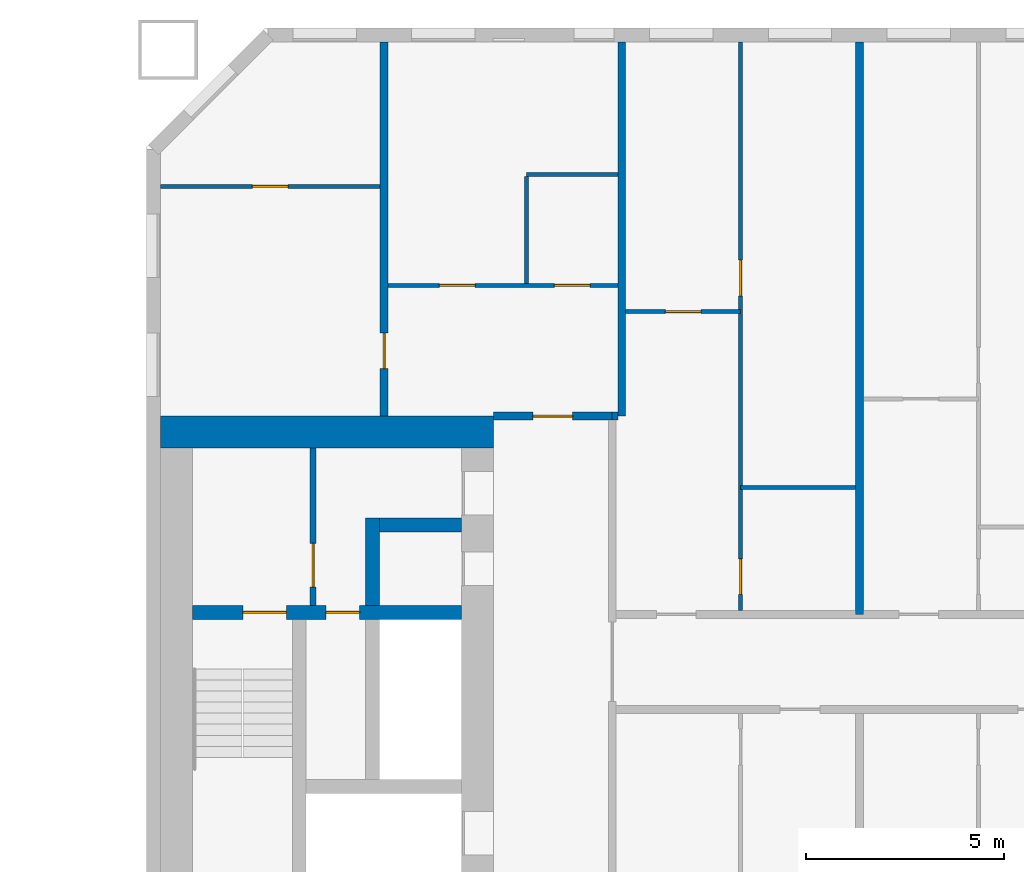
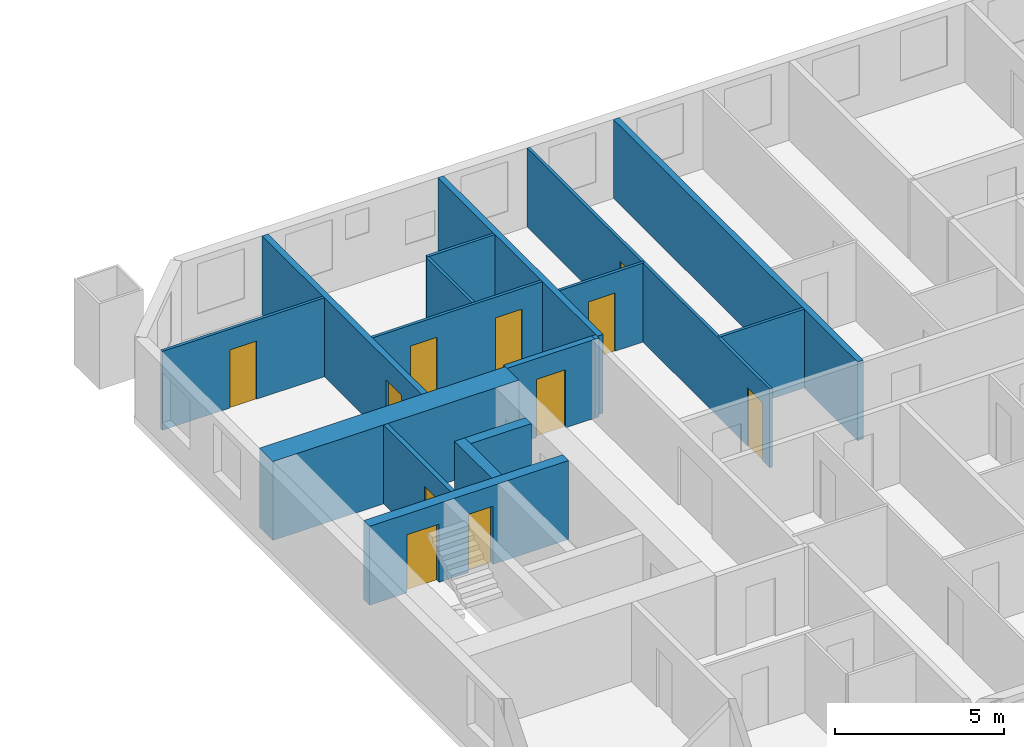
# One storey, part 10 of 17: 17 walls, 11 doors, 11 openings.
"""IFC4 building model written with IfcOpenShell, lengths in metres."""

import ifcopenshell
import ifcopenshell.guid

model = None  # the IFC model being written
_history = None  # IfcOwnerHistory: only IFC2X3 demands one
_inside = {}  # id of a spatial element -> (the spatial element, [elements in it])
_under = {}  # id of a project, library or spatial element -> (it, [spatial elements below it])
_declared = {}  # id of a project -> (the project, [libraries it declares])
_typed = {}  # id of a type object -> (the type object, [elements of that type])
_made_of = {}  # id of a material, layer set ... -> (it, [elements and type objects made of it])


def new_model(schema):
    """Start an empty IFC model of exactly this schema.

    Asked for "IFC4X3", IfcOpenShell would pick the latest addendum, in which some entities
    have other attributes; the version numbers below select the first issue.
    IFC2X3 requires an IfcOwnerHistory on every rooted entity: one is made here for all.
    """
    global model, _history
    if schema == "IFC4X3":
        model = ifcopenshell.file(schema_version=(4, 3, 0, 0))
    else:
        model = ifcopenshell.file(schema=schema)
    _inside.clear()
    _under.clear()
    _declared.clear()
    _typed.clear()
    _made_of.clear()
    _history = None
    if model.schema == "IFC2X3":
        org = make("IfcOrganization", Name="unknown")
        user = make(
            "IfcPersonAndOrganization",
            ThePerson=make("IfcPerson", FamilyName="unknown"),
            TheOrganization=org,
        )
        app = make(
            "IfcApplication",
            ApplicationDeveloper=org,
            Version="unknown",
            ApplicationFullName="unknown",
            ApplicationIdentifier="unknown",
        )
        _history = make(
            "IfcOwnerHistory",
            OwningUser=user,
            OwningApplication=app,
            ChangeAction="ADDED",
            CreationDate=0,
        )
    return model


def make(cls, **values):
    """One entity of the class cls with the attributes given. An attribute that is None is left unset."""
    return model.create_entity(
        cls, **{name: value for name, value in values.items() if value is not None}
    )


def rooted(cls, **values):
    """An entity with a GlobalId (a new one), such as an element, a storey or a relation."""
    return make(cls, GlobalId=ifcopenshell.guid.new(), OwnerHistory=_history, **values)


def si_unit(unit_type, name, prefix=None):
    """IfcSIUnit, for example si_unit("LENGTHUNIT", "METRE", prefix="MILLI")."""
    return make("IfcSIUnit", UnitType=unit_type, Prefix=prefix, Name=name)


def assignment(units):
    """IfcUnitAssignment: the units of a project."""
    return None if units is None else make("IfcUnitAssignment", Units=units)


def point(xyz):
    """IfcCartesianPoint."""
    return None if xyz is None else make("IfcCartesianPoint", Coordinates=xyz)


def direction(xyz):
    """IfcDirection."""
    return None if xyz is None else make("IfcDirection", DirectionRatios=xyz)


def frame(location, z_axis=None, x_axis=None):
    """IfcAxis2Placement3D, a coordinate frame: its origin and axes. An axis left out is left unset."""
    return make(
        "IfcAxis2Placement3D",
        Location=point(location),
        Axis=direction(z_axis),
        RefDirection=direction(x_axis),
    )


def frame_2d(location, x_axis=None):
    """IfcAxis2Placement2D, a coordinate frame in the plane: its origin and x axis."""
    return make(
        "IfcAxis2Placement2D", Location=point(location), RefDirection=direction(x_axis)
    )


def origin():
    """The frame at (0, 0, 0) with its axes left unset."""
    return frame((0.0, 0.0, 0.0))


def place(relative_to, where):
    """IfcLocalPlacement: puts the frame where relative to a parent placement (None: the world)."""
    return make(
        "IfcLocalPlacement", PlacementRelTo=relative_to, RelativePlacement=where
    )


def context(
    kind, dimensions, precision=None, world=None, true_north=None, identifier=None
):
    """IfcGeometricRepresentationContext, for example the 3D "Model" context."""
    return make(
        "IfcGeometricRepresentationContext",
        ContextIdentifier=identifier,
        ContextType=kind,
        CoordinateSpaceDimension=dimensions,
        Precision=precision,
        WorldCoordinateSystem=world,
        TrueNorth=true_north,
    )


def subcontext(parent, identifier, kind, view, scale=None):
    """IfcGeometricRepresentationSubContext, for example "Body" below "Model"."""
    return make(
        "IfcGeometricRepresentationSubContext",
        ContextIdentifier=identifier,
        ContextType=kind,
        ParentContext=parent,
        TargetScale=scale,
        TargetView=view,
    )


def project(units=None, contexts=None):
    """IfcProject with its units and contexts."""
    return rooted(
        "IfcProject",
        Name="project",
        RepresentationContexts=contexts,
        UnitsInContext=assignment(units),
    )


def spatial(cls, under=None, at=None, **own):
    """A site, building, storey or space (cls), placed at a placement, below another one or the project."""
    s = rooted(cls, ObjectPlacement=at, **own)
    if under is not None:
        _under.setdefault(under.id(), (under, []))[1].append(s)
    return s


def profile(cls, at=None, kind="AREA", **sizes):
    """A parametric profile (cls). Its sizes go by their IFC names, for example OverallWidth=200.0."""
    return make(cls, ProfileType=kind, Position=at, **sizes)


def rectangle(**sizes):
    """IfcRectangleProfileDef."""
    return profile("IfcRectangleProfileDef", **sizes)


def extrude(swept, where, along, depth):
    """IfcExtrudedAreaSolid: the profile swept, set in the frame where, extruded along a direction by depth."""
    return make(
        "IfcExtrudedAreaSolid",
        SweptArea=swept,
        Position=where,
        ExtrudedDirection=direction(along),
        Depth=depth,
    )


def shape(context_of_items, identifier, shape_type, items):
    """IfcShapeRepresentation: the items that make up one representation, for example the "Body"."""
    return make(
        "IfcShapeRepresentation",
        ContextOfItems=context_of_items,
        RepresentationIdentifier=identifier,
        RepresentationType=shape_type,
        Items=items,
    )


def material(Name=None, Category=None):
    """IfcMaterial."""
    return make("IfcMaterial", Name=Name, Category=Category)


def layer(
    of_material, thickness, ventilated=None, Name=None, Category=None, Priority=None
):
    """IfcMaterialLayer: one layer of a wall or slab, of a material (None: an air gap)."""
    return make(
        "IfcMaterialLayer",
        Material=of_material,
        LayerThickness=thickness,
        IsVentilated=ventilated,
        Name=Name,
        Category=Category,
        Priority=Priority,
    )


def layer_set(layers, Name=None):
    """IfcMaterialLayerSet."""
    return make("IfcMaterialLayerSet", MaterialLayers=layers, LayerSetName=Name)


def made_of(thing, what):
    """Note that an element or type object is made of a material, layer set ...; save() writes the relation."""
    if what is not None:
        _made_of.setdefault(what.id(), (what, []))[1].append(thing)
    return thing


def type_object(cls, material=None, **own):
    """A type object (cls), such as IfcWallType, which elements share."""
    return made_of(rooted(cls, **own), material)


def element(
    cls,
    number,
    at=None,
    inside=None,
    cuts=None,
    type_object=None,
    material=None,
    context=None,
    identifier="Body",
    shape_type=None,
    held_by="IfcProductDefinitionShape",
    body=None,
    shapes=None,
    **own,
):
    """One element of the class cls, such as IfcWall. Its Tag is "e" and its number.

    at: its placement. inside: the storey or other place that contains it. cuts: it is an
    opening in that element (IfcRelVoidsElement). A single representation is given by context,
    identifier, shape_type and body (its items); several are given by shapes. held_by: the class
    of the entity that holds the representations. save() writes the other relations.
    """
    e = rooted(cls, Tag="e%d" % number, ObjectPlacement=at, **own)
    if body is not None:
        shapes = [shape(context, identifier, shape_type, body)]
    if shapes is not None:
        e.Representation = make(held_by, Representations=shapes)
    if inside is not None:
        _inside.setdefault(inside.id(), (inside, []))[1].append(e)
    if cuts is not None:
        rooted(
            "IfcRelVoidsElement", RelatingBuildingElement=cuts, RelatedOpeningElement=e
        )
    if type_object is not None:
        _typed.setdefault(type_object.id(), (type_object, []))[1].append(e)
    return made_of(e, material)


def fill(opening, filler):
    """IfcRelFillsElement: the door or window that sits in an opening."""
    return rooted(
        "IfcRelFillsElement",
        RelatingOpeningElement=opening,
        RelatedBuildingElement=filler,
    )


def aggregate(whole, parts):
    """IfcRelAggregates: a whole, such as a stair, and the parts it consists of."""
    return rooted("IfcRelAggregates", RelatingObject=whole, RelatedObjects=parts)


def save(model, path):
    """Write the relations noted so far, then the file.

    IfcRelAggregates (storeys below a building ...), IfcRelContainedInSpatialStructure (elements
    in a storey), IfcRelDefinesByType, IfcRelAssociatesMaterial and IfcRelDeclares: one each for
    every whole, place, type object, material and project.
    """
    for whole, parts in _under.values():
        aggregate(whole, parts)
    for where, things in _inside.values():
        rooted(
            "IfcRelContainedInSpatialStructure",
            RelatedElements=things,
            RelatingStructure=where,
        )
    for kind, things in _typed.values():
        rooted("IfcRelDefinesByType", RelatedObjects=things, RelatingType=kind)
    for what, things in _made_of.values():
        rooted("IfcRelAssociatesMaterial", RelatedObjects=things, RelatingMaterial=what)
    for by, libraries in _declared.values():
        rooted("IfcRelDeclares", RelatingContext=by, RelatedDefinitions=libraries)
    model.write(path)


model = new_model("IFC4")

# Units and contexts
model_context = context("Model", 3, precision=1e-05, world=origin(), true_north=direction((0.0, 1.0)))
body_context = subcontext(model_context, "Body", "Model", "MODEL_VIEW")
ifc_project = project(units=[si_unit("LENGTHUNIT", "METRE"), si_unit("AREAUNIT", "SQUARE_METRE"), si_unit("VOLUMEUNIT", "CUBIC_METRE"), si_unit("PLANEANGLEUNIT", "RADIAN"), si_unit("MASSUNIT", "GRAM", prefix="KILO")], contexts=[model_context])

# Site, building, storey
site_placement = place(None, origin())
site = spatial("IfcSite", under=ifc_project, at=site_placement, CompositionType="ELEMENT")
building_placement = place(site_placement, origin())
building = spatial("IfcBuilding", under=site, at=building_placement, Name="Tuart Gate Housing", CompositionType="ELEMENT")
storey_placement = place(building_placement, frame((0.0, 0.0, 50.5)))
storey = spatial("IfcBuildingStorey", under=building, at=storey_placement, Name="L13", CompositionType="ELEMENT", Elevation=50.5)

# Wall, opening, door
ifc_material_1 = material(Name="Plasterboard partition")
ifc_layer_1 = layer(ifc_material_1, 0.14990234375)
ifc_layer_set_1 = layer_set([ifc_layer_1], Name="Core partition 150")
wall_type_1 = type_object("IfcWallType", Name="Core partition 150", PredefinedType="PARTITIONING", material=ifc_layer_set_1)
wall_1_placement = place(storey_placement, frame((135.2099609375, 71.425048828125, 0.0), z_axis=(0.0, 0.0, 1.0), x_axis=(0.0, 1.0, 0.0)))
wall_1 = element("IfcWall", 1, at=wall_1_placement, inside=storey, type_object=wall_type_1, Name="Core partition BG.6", PredefinedType="PARTITIONING", context=body_context, shape_type="SweptSolid", body=[
    extrude(rectangle(XDim=3.974853515625, YDim=0.14990234375, at=frame_2d((1.9873046875, 0.0))), origin(), (0.0, 0.0, 1.0), 2.85009765625),
])
opening_1_placement = place(wall_1_placement, frame((0.46240234375, 0.0, 0.0)))
opening_1 = element("IfcOpeningElement", 2, at=opening_1_placement, cuts=wall_1, Name="Opening D676", PredefinedType="OPENING", context=body_context, shape_type="SweptSolid", body=[
    extrude(rectangle(XDim=1.10009765625, YDim=2.10009765625, at=frame_2d((0.550048828125, 1.050048828125))), frame((0.0, 0.0849609375, 0.0), z_axis=(0.0, -1.0, 0.0), x_axis=(1.0, 0.0, 0.0)), (0.0, 0.0, 1.0), 0.169921875),
])
ifc_material_2 = material(Name="Steel fire door", Category="steel")
door_type_1 = type_object("IfcDoorType", Name="Lobby door 1100 x 2100", OperationType="SINGLE_SWING_LEFT", PredefinedType="DOOR", material=ifc_material_2)
door_1_placement = place(opening_1_placement, origin())
door_1 = element("IfcDoor", 3, at=door_1_placement, inside=storey, type_object=door_type_1, Name="Smoke lobby door BG.KD", OperationType="SINGLE_SWING_LEFT", OverallHeight=2.10009765625, OverallWidth=1.10009765625, PredefinedType="DOOR", context=body_context, shape_type="SweptSolid", body=[
    extrude(rectangle(XDim=1.10009765625, YDim=2.10009765625, at=frame_2d((0.550048828125, 1.050048828125))), frame((0.0, 0.02490234375, 0.0), z_axis=(0.0, -1.0, 0.0), x_axis=(1.0, 0.0, 0.0)), (0.0, 0.0, 1.0), 0.050048828125),
])
fill(opening_1, door_1)

# Wall, openings, doors
ifc_material_3 = material(Name="Concrete C60", Category="concrete")
ifc_layer_2 = layer(ifc_material_3, 0.35009765625)
ifc_layer_set_2 = layer_set([ifc_layer_2], Name="Core wall 350 C60")
wall_type_2 = type_object("IfcWallType", Name="Core wall 350 C60", PredefinedType="SHEAR", material=ifc_layer_set_2)
wall_2_placement = place(storey_placement, frame((138.9599609375, 71.25, 0.0), z_axis=(0.0, 0.0, 1.0), x_axis=(-1.0, 0.0, 0.0)))
wall_2 = element("IfcWall", 4, at=wall_2_placement, inside=storey, type_object=wall_type_2, Name="Core wall BG.2", PredefinedType="SHEAR", context=body_context, shape_type="SweptSolid", body=[
    extrude(rectangle(XDim=6.800048828125, YDim=0.35009765625, at=frame_2d((3.39990234375, 0.0))), origin(), (0.0, 0.0, 1.0), 2.85009765625),
])
opening_2_placement = place(wall_2_placement, frame((4.425048828125, 0.0, 0.0)))
opening_2 = element("IfcOpeningElement", 5, at=opening_2_placement, cuts=wall_2, Name="Opening D678", PredefinedType="OPENING", context=body_context, shape_type="SweptSolid", body=[
    extrude(rectangle(XDim=1.10009765625, YDim=2.10009765625, at=frame_2d((0.550048828125, 1.050048828125))), frame((0.0, 0.18505859375, 0.0), z_axis=(0.0, -1.0, 0.0), x_axis=(1.0, 0.0, 0.0)), (0.0, 0.0, 1.0), 0.3701171875),
])
opening_3_placement = place(wall_2_placement, frame((2.574951171875, 0.0, 0.0)))
opening_3 = element("IfcOpeningElement", 6, at=opening_3_placement, cuts=wall_2, Name="Opening D677", PredefinedType="OPENING", context=body_context, shape_type="SweptSolid", body=[
    extrude(rectangle(XDim=0.85009765625, YDim=2.10009765625, at=frame_2d((0.425048828125, 1.050048828125))), frame((0.0, 0.18505859375, 0.0), z_axis=(0.0, -1.0, 0.0), x_axis=(1.0, 0.0, 0.0)), (0.0, 0.0, 1.0), 0.3701171875),
])
ifc_material_4 = material(Name="Steel fire door", Category="steel")
door_type_2 = type_object("IfcDoorType", Name="Riser door 850 x 2100", OperationType="SINGLE_SWING_LEFT", PredefinedType="DOOR", material=ifc_material_4)
door_2_placement = place(opening_3_placement, origin())
door_2 = element("IfcDoor", 7, at=door_2_placement, inside=storey, type_object=door_type_2, Name="Service room door BG.W1", OperationType="SINGLE_SWING_LEFT", OverallHeight=2.10009765625, OverallWidth=0.85009765625, PredefinedType="DOOR", context=body_context, shape_type="SweptSolid", body=[
    extrude(rectangle(XDim=0.85009765625, YDim=2.10009765625, at=frame_2d((0.425048828125, 1.050048828125))), frame((0.0, 0.02490234375, 0.0), z_axis=(0.0, -1.0, 0.0), x_axis=(1.0, 0.0, 0.0)), (0.0, 0.0, 1.0), 0.050048828125),
])
fill(opening_3, door_2)
ifc_material_5 = material(Name="Steel fire door", Category="steel")
door_type_3 = type_object("IfcDoorType", Name="Stair door 1100 x 2100", OperationType="SINGLE_SWING_LEFT", PredefinedType="DOOR", material=ifc_material_5)
door_3_placement = place(opening_2_placement, origin())
door_3 = element("IfcDoor", 8, at=door_3_placement, inside=storey, type_object=door_type_3, Name="Stair door BG.SD", OperationType="SINGLE_SWING_LEFT", OverallHeight=2.10009765625, OverallWidth=1.10009765625, PredefinedType="DOOR", context=body_context, shape_type="SweptSolid", body=[
    extrude(rectangle(XDim=1.10009765625, YDim=2.10009765625, at=frame_2d((0.550048828125, 1.050048828125))), frame((0.0, 0.02490234375, 0.0), z_axis=(0.0, -1.0, 0.0), x_axis=(1.0, 0.0, 0.0)), (0.0, 0.0, 1.0), 0.050048828125),
])
fill(opening_2, door_3)

# Walls
wall_3_placement = place(storey_placement, frame((138.9599609375, 73.449951171875, 0.0), z_axis=(0.0, 0.0, 1.0), x_axis=(-1.0, 0.0, 0.0)))
element("IfcWall", 9, at=wall_3_placement, inside=storey, type_object=wall_type_2, Name="Core wall BG.3", PredefinedType="SHEAR", context=body_context, shape_type="SweptSolid", body=[
    extrude(rectangle(XDim=2.074951171875, YDim=0.35009765625, at=frame_2d((1.03759765625, 0.0))), origin(), (0.0, 0.0, 1.0), 2.85009765625),
])
wall_4_placement = place(storey_placement, frame((136.7099609375, 71.425048828125, 0.0), z_axis=(0.0, 0.0, 1.0), x_axis=(0.0, 1.0, 0.0)))
element("IfcWall", 10, at=wall_4_placement, inside=storey, type_object=wall_type_2, Name="Core wall BG.5", PredefinedType="SHEAR", context=body_context, shape_type="SweptSolid", body=[
    extrude(rectangle(XDim=2.199951171875, YDim=0.35009765625, at=frame_2d((1.10009765625, 0.0))), origin(), (0.0, 0.0, 1.0), 2.85009765625),
])
ifc_material_6 = material(Name="Concrete C60", Category="concrete")
ifc_layer_3 = layer(ifc_material_6, 0.800048828125)
ifc_layer_set_3 = layer_set([ifc_layer_3], Name="Core wall 800 C60")
wall_type_3 = type_object("IfcWallType", Name="Core wall 800 C60", PredefinedType="SHEAR", material=ifc_layer_set_3)
wall_5_placement = place(storey_placement, frame((139.760009765625, 75.800048828125, 0.0), z_axis=(0.0, 0.0, 1.0), x_axis=(-1.0, 0.0, 0.0)))
element("IfcWall", 11, at=wall_5_placement, inside=storey, type_object=wall_type_3, Name="Core wall BG north", PredefinedType="SHEAR", context=body_context, shape_type="SweptSolid", body=[
    extrude(rectangle(XDim=8.39990234375, YDim=0.800048828125, at=frame_2d((4.199951171875, 0.0))), origin(), (0.0, 0.0, 1.0), 2.85009765625),
])

# Wall, opening, door
ifc_material_7 = material(Name="Concrete masonry 15 MPa", Category="masonry")
ifc_layer_4 = layer(ifc_material_7, 0.199951171875)
ifc_layer_set_4 = layer_set([ifc_layer_4], Name="Enclosure wall masonry 200")
wall_type_4 = type_object("IfcWallType", Name="Enclosure wall masonry 200", PredefinedType="PARTITIONING", material=ifc_layer_set_4)
wall_6_placement = place(storey_placement, frame((139.760009765625, 76.199951171875, 0.0), z_axis=(0.0, 0.0, 1.0), x_axis=(1.0, 0.0, 0.0)))
wall_6 = element("IfcWall", 12, at=wall_6_placement, inside=storey, type_object=wall_type_4, Name="Enclosure wall masonry 200", PredefinedType="PARTITIONING", context=body_context, shape_type="SweptSolid", body=[
    extrude(rectangle(XDim=3.0, YDim=0.199951171875, at=frame_2d((1.5, 0.0))), origin(), (0.0, 0.0, 1.0), 2.85009765625),
])
opening_4_placement = place(wall_6_placement, frame((1.0, 0.0, 0.0)))
opening_4 = element("IfcOpeningElement", 13, at=opening_4_placement, cuts=wall_6, Name="Opening D674", PredefinedType="OPENING", context=body_context, shape_type="SweptSolid", body=[
    extrude(rectangle(XDim=1.0, YDim=2.10009765625, at=frame_2d((0.5, 1.050048828125))), frame((0.0, 0.10986328125, 0.0), z_axis=(0.0, -1.0, 0.0), x_axis=(1.0, 0.0, 0.0)), (0.0, 0.0, 1.0), 0.219970703125),
])
ifc_material_8 = material(Name="Timber door leaf in steel frame", Category="steel")
door_type_4 = type_object("IfcDoorType", Name="Flat entrance door 1000 RH", OperationType="SINGLE_SWING_RIGHT", PredefinedType="DOOR", material=ifc_material_8)
door_4_placement = place(opening_4_placement, origin())
door_4 = element("IfcDoor", 14, at=door_4_placement, inside=storey, type_object=door_type_4, Name="Flat entrance door", OperationType="SINGLE_SWING_RIGHT", OverallHeight=2.10009765625, OverallWidth=1.0, PredefinedType="DOOR", context=body_context, shape_type="SweptSolid", body=[
    extrude(rectangle(XDim=1.0, YDim=2.10009765625, at=frame_2d((0.5, 1.050048828125))), frame((0.0, 0.02490234375, 0.0), z_axis=(0.0, -1.0, 0.0), x_axis=(1.0, 0.0, 0.0)), (0.0, 0.0, 1.0), 0.050048828125),
])
fill(opening_4, door_4)

# Wall
ifc_material_9 = material(Name="Gypsum board on steel studs", Category="steel")
ifc_layer_5 = layer(ifc_material_9, 0.10009765625)
ifc_layer_set_5 = layer_set([ifc_layer_5], Name="Partition 100")
wall_type_5 = type_object("IfcWallType", Name="Partition 100", PredefinedType="PARTITIONING", material=ifc_layer_set_5)
wall_7_placement = place(storey_placement, frame((146.0, 74.39990234375, 0.0), z_axis=(0.0, 0.0, 1.0), x_axis=(1.0, 0.0, 0.0)))
element("IfcWall", 15, at=wall_7_placement, inside=storey, type_object=wall_type_5, Name="Partition 100", PredefinedType="PARTITIONING", context=body_context, shape_type="SweptSolid", body=[
    extrude(rectangle(XDim=2.89990234375, YDim=0.10009765625, at=frame_2d((1.449951171875, 0.0))), origin(), (0.0, 0.0, 1.0), 2.85009765625),
])

# Wall, opening, door
wall_8_placement = place(storey_placement, frame((143.10009765625, 78.840087890625, 0.0), z_axis=(0.0, 0.0, 1.0), x_axis=(1.0, 0.0, 0.0)))
wall_8 = element("IfcWall", 16, at=wall_8_placement, inside=storey, type_object=wall_type_5, Name="Partition 100", PredefinedType="PARTITIONING", context=body_context, shape_type="SweptSolid", body=[
    extrude(rectangle(XDim=2.89990234375, YDim=0.10009765625, at=frame_2d((1.449951171875, 0.0))), origin(), (0.0, 0.0, 1.0), 2.85009765625),
])
opening_5_placement = place(wall_8_placement, frame((1.0, 0.0, 0.0)))
opening_5 = element("IfcOpeningElement", 17, at=opening_5_placement, cuts=wall_8, Name="Opening D666", PredefinedType="OPENING", context=body_context, shape_type="SweptSolid", body=[
    extrude(rectangle(XDim=0.89990234375, YDim=2.10009765625, at=frame_2d((0.449951171875, 1.050048828125))), frame((0.0, 0.06005859375, 0.0), z_axis=(0.0, -1.0, 0.0), x_axis=(1.0, 0.0, 0.0)), (0.0, 0.0, 1.0), 0.1201171875),
])
ifc_material_10 = material(Name="Timber door leaf in steel frame", Category="steel")
door_type_5 = type_object("IfcDoorType", Name="Internal door 900", OperationType="SINGLE_SWING_LEFT", PredefinedType="DOOR", material=ifc_material_10)
door_5_placement = place(opening_5_placement, frame((0.89990234375, 0.0, 0.0), z_axis=(0.0, 0.0, 1.0), x_axis=(-1.0, 0.0, 0.0)))
door_5 = element("IfcDoor", 18, at=door_5_placement, inside=storey, type_object=door_type_5, Name="Internal door", OperationType="SINGLE_SWING_LEFT", OverallHeight=2.10009765625, OverallWidth=0.89990234375, PredefinedType="DOOR", context=body_context, shape_type="SweptSolid", body=[
    extrude(rectangle(XDim=0.89990234375, YDim=2.10009765625, at=frame_2d((0.449951171875, 1.050048828125))), frame((0.0, 0.025146484375, 0.0), z_axis=(0.0, -1.0, 0.0), x_axis=(1.0, 0.0, 0.0)), (0.0, 0.0, 1.0), 0.050048828125),
])
fill(opening_5, door_5)

# Wall, openings, doors
wall_9_placement = place(storey_placement, frame((137.10009765625, 79.5, 0.0), z_axis=(0.0, 0.0, 1.0), x_axis=(1.0, 0.0, 0.0)))
wall_9 = element("IfcWall", 19, at=wall_9_placement, inside=storey, type_object=wall_type_5, Name="Partition 100", PredefinedType="PARTITIONING", context=body_context, shape_type="SweptSolid", body=[
    extrude(rectangle(XDim=5.7998046875, YDim=0.10009765625, at=frame_2d((2.89990234375, 0.0))), origin(), (0.0, 0.0, 1.0), 2.85009765625),
])
opening_6_placement = place(wall_9_placement, frame((1.300048828125, 0.0, 0.0)))
opening_6 = element("IfcOpeningElement", 20, at=opening_6_placement, cuts=wall_9, Name="Opening D665", PredefinedType="OPENING", context=body_context, shape_type="SweptSolid", body=[
    extrude(rectangle(XDim=0.89990234375, YDim=2.10009765625, at=frame_2d((0.449951171875, 1.050048828125))), frame((0.0, 0.06005859375, 0.0), z_axis=(0.0, -1.0, 0.0), x_axis=(1.0, 0.0, 0.0)), (0.0, 0.0, 1.0), 0.1201171875),
])
opening_7_placement = place(wall_9_placement, frame((4.199951171875, 0.0, 0.0)))
opening_7 = element("IfcOpeningElement", 21, at=opening_7_placement, cuts=wall_9, Name="Opening D664", PredefinedType="OPENING", context=body_context, shape_type="SweptSolid", body=[
    extrude(rectangle(XDim=0.89990234375, YDim=2.10009765625, at=frame_2d((0.449951171875, 1.050048828125))), frame((0.0, 0.06005859375, 0.0), z_axis=(0.0, -1.0, 0.0), x_axis=(1.0, 0.0, 0.0)), (0.0, 0.0, 1.0), 0.1201171875),
])
ifc_material_11 = material(Name="Timber door leaf in steel frame", Category="steel")
door_type_6 = type_object("IfcDoorType", Name="Bathroom door 900", OperationType="SINGLE_SWING_LEFT", PredefinedType="DOOR", material=ifc_material_11)
door_6_placement = place(opening_7_placement, origin())
door_6 = element("IfcDoor", 22, at=door_6_placement, inside=storey, type_object=door_type_6, Name="Bathroom door", OperationType="SINGLE_SWING_LEFT", OverallHeight=2.10009765625, OverallWidth=0.89990234375, PredefinedType="DOOR", context=body_context, shape_type="SweptSolid", body=[
    extrude(rectangle(XDim=0.89990234375, YDim=2.10009765625, at=frame_2d((0.449951171875, 1.050048828125))), frame((0.0, 0.02490234375, 0.0), z_axis=(0.0, -1.0, 0.0), x_axis=(1.0, 0.0, 0.0)), (0.0, 0.0, 1.0), 0.050048828125),
])
fill(opening_7, door_6)
ifc_material_12 = material(Name="Timber door leaf in steel frame", Category="steel")
door_type_7 = type_object("IfcDoorType", Name="Internal door 900 RH", OperationType="SINGLE_SWING_RIGHT", PredefinedType="DOOR", material=ifc_material_12)
door_7_placement = place(opening_6_placement, origin())
door_7 = element("IfcDoor", 23, at=door_7_placement, inside=storey, type_object=door_type_7, Name="Internal door", OperationType="SINGLE_SWING_RIGHT", OverallHeight=2.10009765625, OverallWidth=0.89990234375, PredefinedType="DOOR", context=body_context, shape_type="SweptSolid", body=[
    extrude(rectangle(XDim=0.89990234375, YDim=2.10009765625, at=frame_2d((0.449951171875, 1.050048828125))), frame((0.0, 0.02490234375, 0.0), z_axis=(0.0, -1.0, 0.0), x_axis=(1.0, 0.0, 0.0)), (0.0, 0.0, 1.0), 0.050048828125),
])
fill(opening_6, door_7)

# Wall, opening, door
wall_10_placement = place(storey_placement, frame((131.360107421875, 82.0, 0.0), z_axis=(0.0, 0.0, 1.0), x_axis=(1.0, 0.0, 0.0)))
wall_10 = element("IfcWall", 24, at=wall_10_placement, inside=storey, type_object=wall_type_5, Name="Partition 100", PredefinedType="PARTITIONING", context=body_context, shape_type="SweptSolid", body=[
    extrude(rectangle(XDim=5.539794921875, YDim=0.10009765625, at=frame_2d((2.77001953125, 0.0))), origin(), (0.0, 0.0, 1.0), 2.85009765625),
])
opening_8_placement = place(wall_10_placement, frame((2.320068359375, 0.0, 0.0)))
opening_8 = element("IfcOpeningElement", 25, at=opening_8_placement, cuts=wall_10, Name="Opening D662", PredefinedType="OPENING", context=body_context, shape_type="SweptSolid", body=[
    extrude(rectangle(XDim=0.89990234375, YDim=2.10009765625, at=frame_2d((0.449951171875, 1.050048828125))), frame((0.0, 0.06005859375, 0.0), z_axis=(0.0, -1.0, 0.0), x_axis=(1.0, 0.0, 0.0)), (0.0, 0.0, 1.0), 0.1201171875),
])
door_8_placement = place(opening_8_placement, origin())
door_8 = element("IfcDoor", 26, at=door_8_placement, inside=storey, type_object=door_type_5, Name="Internal door", OperationType="SINGLE_SWING_LEFT", OverallHeight=2.10009765625, OverallWidth=0.89990234375, PredefinedType="DOOR", context=body_context, shape_type="SweptSolid", body=[
    extrude(rectangle(XDim=0.89990234375, YDim=2.10009765625, at=frame_2d((0.449951171875, 1.050048828125))), frame((0.0, 0.02490234375, 0.0), z_axis=(0.0, -1.0, 0.0), x_axis=(1.0, 0.0, 0.0)), (0.0, 0.0, 1.0), 0.050048828125),
])
fill(opening_8, door_8)

# Walls
wall_11_placement = place(storey_placement, frame((140.60009765625, 82.300048828125, 0.0), z_axis=(0.0, 0.0, 1.0), x_axis=(1.0, 0.0, 0.0)))
element("IfcWall", 27, at=wall_11_placement, inside=storey, type_object=wall_type_5, Name="Partition 100", PredefinedType="PARTITIONING", context=body_context, shape_type="SweptSolid", body=[
    extrude(rectangle(XDim=2.2998046875, YDim=0.10009765625, at=frame_2d((1.14990234375, 0.0))), origin(), (0.0, 0.0, 1.0), 2.85009765625),
])
wall_12_placement = place(storey_placement, frame((140.60009765625, 79.550048828125, 0.0), z_axis=(0.0, 0.0, 1.0), x_axis=(0.0, 1.0, 0.0)))
element("IfcWall", 28, at=wall_12_placement, inside=storey, type_object=wall_type_5, Name="Partition 100", PredefinedType="PARTITIONING", context=body_context, shape_type="SweptSolid", body=[
    extrude(rectangle(XDim=2.699951171875, YDim=0.10009765625, at=frame_2d((1.35009765625, 0.0))), origin(), (0.0, 0.0, 1.0), 2.85009765625),
])

# Wall, openings, doors
wall_13_placement = place(storey_placement, frame((146.0, 71.300048828125, 0.0), z_axis=(0.0, 0.0, 1.0), x_axis=(0.0, 1.0, 0.0)))
wall_13 = element("IfcWall", 29, at=wall_13_placement, inside=storey, type_object=wall_type_5, Name="Partition 100", PredefinedType="PARTITIONING", context=body_context, shape_type="SweptSolid", body=[
    extrude(rectangle(XDim=14.33984375, YDim=0.10009765625, at=frame_2d((7.169921875, 0.0))), origin(), (0.0, 0.0, 1.0), 2.85009765625),
])
opening_9_placement = place(wall_13_placement, frame((7.93994140625, 0.0, 0.0)))
opening_9 = element("IfcOpeningElement", 30, at=opening_9_placement, cuts=wall_13, Name="Opening D670", PredefinedType="OPENING", context=body_context, shape_type="SweptSolid", body=[
    extrude(rectangle(XDim=0.89990234375, YDim=2.10009765625, at=frame_2d((0.449951171875, 1.050048828125))), frame((0.0, 0.06005859375, 0.0), z_axis=(0.0, -1.0, 0.0), x_axis=(1.0, 0.0, 0.0)), (0.0, 0.0, 1.0), 0.1201171875),
])
opening_10_placement = place(wall_13_placement, frame((0.39990234375, 0.0, 0.0)))
opening_10 = element("IfcOpeningElement", 31, at=opening_10_placement, cuts=wall_13, Name="Opening D669", PredefinedType="OPENING", context=body_context, shape_type="SweptSolid", body=[
    extrude(rectangle(XDim=0.89990234375, YDim=2.10009765625, at=frame_2d((0.449951171875, 1.050048828125))), frame((0.0, 0.06005859375, 0.0), z_axis=(0.0, -1.0, 0.0), x_axis=(1.0, 0.0, 0.0)), (0.0, 0.0, 1.0), 0.1201171875),
])
ifc_material_13 = material(Name="Timber door leaf in steel frame", Category="steel")
door_type_8 = type_object("IfcDoorType", Name="Bathroom door 900 RH", OperationType="SINGLE_SWING_RIGHT", PredefinedType="DOOR", material=ifc_material_13)
door_9_placement = place(opening_10_placement, frame((0.89990234375, 0.0, 0.0), z_axis=(0.0, 0.0, 1.0), x_axis=(-1.0, 0.0, 0.0)))
door_9 = element("IfcDoor", 32, at=door_9_placement, inside=storey, type_object=door_type_8, Name="Bathroom door", OperationType="SINGLE_SWING_RIGHT", OverallHeight=2.10009765625, OverallWidth=0.89990234375, PredefinedType="DOOR", context=body_context, shape_type="SweptSolid", body=[
    extrude(rectangle(XDim=0.89990234375, YDim=2.10009765625, at=frame_2d((0.449951171875, 1.050048828125))), frame((0.0, 0.025146484375, 0.0), z_axis=(0.0, -1.0, 0.0), x_axis=(1.0, 0.0, 0.0)), (0.0, 0.0, 1.0), 0.050048828125),
])
fill(opening_10, door_9)
door_10_placement = place(opening_9_placement, frame((0.89990234375, 0.0, 0.0), z_axis=(0.0, 0.0, 1.0), x_axis=(-1.0, 0.0, 0.0)))
door_10 = element("IfcDoor", 33, at=door_10_placement, inside=storey, type_object=door_type_7, Name="Internal door", OperationType="SINGLE_SWING_RIGHT", OverallHeight=2.10009765625, OverallWidth=0.89990234375, PredefinedType="DOOR", context=body_context, shape_type="SweptSolid", body=[
    extrude(rectangle(XDim=0.89990234375, YDim=2.10009765625, at=frame_2d((0.449951171875, 1.050048828125))), frame((0.0, 0.025146484375, 0.0), z_axis=(0.0, -1.0, 0.0), x_axis=(1.0, 0.0, 0.0)), (0.0, 0.0, 1.0), 0.050048828125),
])
fill(opening_9, door_10)

# Wall, opening, door
ifc_material_14 = material(Name="Concrete C40", Category="concrete")
ifc_layer_6 = layer(ifc_material_14, 0.199951171875)
ifc_layer_set_6 = layer_set([ifc_layer_6], Name="Party wall concrete C40 200")
wall_type_6 = type_object("IfcWallType", Name="Party wall concrete C40 200", PredefinedType="SOLIDWALL", material=ifc_layer_set_6)
wall_14_placement = place(storey_placement, frame((137.0, 76.199951171875, 0.0), z_axis=(0.0, 0.0, 1.0), x_axis=(0.0, 1.0, 0.0)))
wall_14 = element("IfcWall", 34, at=wall_14_placement, inside=storey, type_object=wall_type_6, Name="Party wall concrete C40 200", PredefinedType="SOLIDWALL", context=body_context, shape_type="SweptSolid", body=[
    extrude(rectangle(XDim=9.43994140625, YDim=0.199951171875, at=frame_2d((4.719970703125, 0.0))), origin(), (0.0, 0.0, 1.0), 2.85009765625),
])
opening_11_placement = place(wall_14_placement, frame((1.199951171875, 0.0, 0.0)))
opening_11 = element("IfcOpeningElement", 35, at=opening_11_placement, cuts=wall_14, Name="Opening D663", PredefinedType="OPENING", context=body_context, shape_type="SweptSolid", body=[
    extrude(rectangle(XDim=0.89990234375, YDim=2.10009765625, at=frame_2d((0.449951171875, 1.050048828125))), frame((0.0, 0.10986328125, 0.0), z_axis=(0.0, -1.0, 0.0), x_axis=(1.0, 0.0, 0.0)), (0.0, 0.0, 1.0), 0.219970703125),
])
door_11_placement = place(opening_11_placement, frame((0.89990234375, 0.0, 0.0), z_axis=(0.0, 0.0, 1.0), x_axis=(-1.0, 0.0, 0.0)))
door_11 = element("IfcDoor", 36, at=door_11_placement, inside=storey, type_object=door_type_7, Name="Internal door", OperationType="SINGLE_SWING_RIGHT", OverallHeight=2.10009765625, OverallWidth=0.89990234375, PredefinedType="DOOR", context=body_context, shape_type="SweptSolid", body=[
    extrude(rectangle(XDim=0.89990234375, YDim=2.10009765625, at=frame_2d((0.449951171875, 1.050048828125))), frame((0.0, 0.025146484375, 0.0), z_axis=(0.0, -1.0, 0.0), x_axis=(1.0, 0.0, 0.0)), (0.0, 0.0, 1.0), 0.050048828125),
])
fill(opening_11, door_11)

# Walls
wall_15_placement = place(storey_placement, frame((143.0, 76.199951171875, 0.0), z_axis=(0.0, 0.0, 1.0), x_axis=(0.0, 1.0, 0.0)))
element("IfcWall", 37, at=wall_15_placement, inside=storey, type_object=wall_type_6, Name="Party wall concrete C40 200", PredefinedType="SOLIDWALL", context=body_context, shape_type="SweptSolid", body=[
    extrude(rectangle(XDim=9.43994140625, YDim=0.199951171875, at=frame_2d((4.719970703125, 0.0))), origin(), (0.0, 0.0, 1.0), 2.85009765625),
])
wall_16_placement = place(storey_placement, frame((149.0, 71.199951171875, 0.0), z_axis=(0.0, 0.0, 1.0), x_axis=(0.0, 1.0, 0.0)))
element("IfcWall", 38, at=wall_16_placement, inside=storey, type_object=wall_type_6, Name="Party wall concrete C40 200", PredefinedType="SOLIDWALL", context=body_context, shape_type="SweptSolid", body=[
    extrude(rectangle(XDim=14.43994140625, YDim=0.199951171875, at=frame_2d((7.219970703125, 0.0))), origin(), (0.0, 0.0, 1.0), 2.85009765625),
])
ifc_material_15 = material(Name="Concrete masonry 15 MPa", Category="masonry")
ifc_layer_7 = layer(ifc_material_15, 0.199951171875)
ifc_layer_set_7 = layer_set([ifc_layer_7], Name="Party wall masonry 200")
wall_type_7 = type_object("IfcWallType", Name="Party wall masonry 200", PredefinedType="PARTITIONING", material=ifc_layer_set_7)
wall_17_placement = place(storey_placement, frame((142.760009765625, 76.199951171875, 0.0), z_axis=(0.0, 0.0, 1.0), x_axis=(1.0, 0.0, 0.0)))
element("IfcWall", 39, at=wall_17_placement, inside=storey, type_object=wall_type_7, Name="Party wall masonry 200", PredefinedType="PARTITIONING", context=body_context, shape_type="SweptSolid", body=[
    extrude(rectangle(XDim=0.139892578125, YDim=0.199951171875, at=frame_2d((0.06982421875, 0.0))), origin(), (0.0, 0.0, 1.0), 2.85009765625),
])

save(model, "model.ifc")
